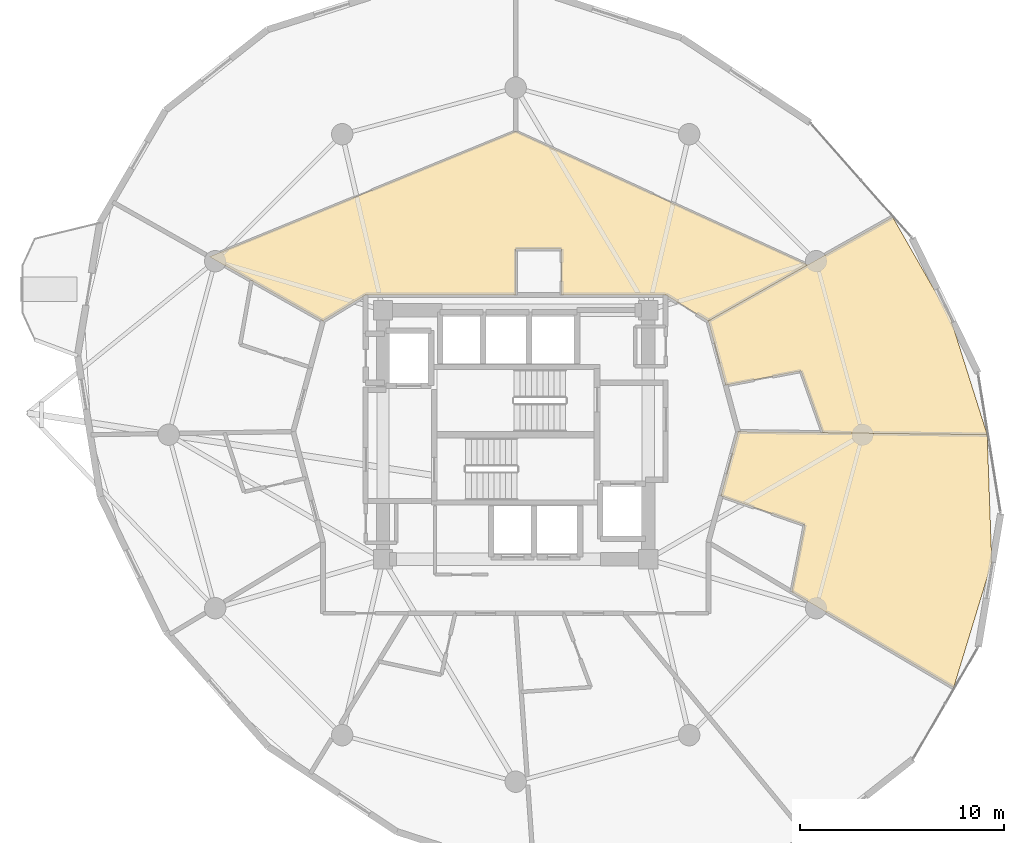
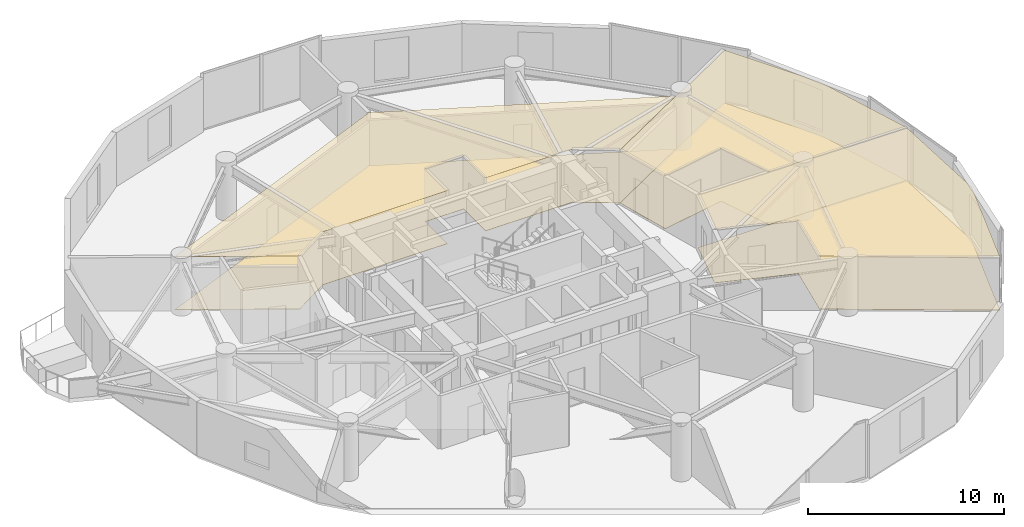
# One storey, part 20 of 20: 6 coverings.
"""IFC4 building model written with IfcOpenShell, lengths in metres."""

from ifc_helpers import new_model, si_unit, direction, frame, origin, place, context, subcontext, project, spatial, polyline, outline, extrude, material, layer, layer_set, type_object, element, save


model = new_model("IFC4")

# Units and contexts
model_context = context("Model", 3, precision=1e-05, world=origin(), true_north=direction((0.0, 1.0)))
body_context = subcontext(model_context, "Body", "Model", "MODEL_VIEW")
ifc_project = project(units=[si_unit("LENGTHUNIT", "METRE"), si_unit("AREAUNIT", "SQUARE_METRE"), si_unit("VOLUMEUNIT", "CUBIC_METRE"), si_unit("PLANEANGLEUNIT", "RADIAN"), si_unit("MASSUNIT", "GRAM", prefix="KILO")], contexts=[model_context])

# Site, building, storey
site_placement = place(None, origin())
site = spatial("IfcSite", under=ifc_project, at=site_placement, CompositionType="ELEMENT")
building_placement = place(site_placement, origin())
building = spatial("IfcBuilding", under=site, at=building_placement, Name="Solvirekh Grand Hotel", CompositionType="ELEMENT")
storey_placement = place(building_placement, frame((0.0, 0.0, 135.0)))
storey = spatial("IfcBuildingStorey", under=building, at=storey_placement, Name="L34", CompositionType="ELEMENT", Elevation=135.0)

# Coverings
ifc_material_1 = material(Name="Acoustic Mineral Ceiling Tile")
ifc_layer_1 = layer(ifc_material_1, 0.02490234375)
ifc_layer_set_1 = layer_set([ifc_layer_1], Name="Acoustic Mineral Ceiling Tile")
covering_type_1 = type_object("IfcCoveringType", Name="Cov_Ceiling_Acoustic", PredefinedType="CEILING", material=ifc_layer_set_1)
covering_1_placement = place(storey_placement, frame((0.0, 0.0, 3.300048828125)))
element("IfcCovering", 1, at=covering_1_placement, inside=storey, type_object=covering_type_1, Name="L34 Panorama Suite 3601 Inner Suite Lounge acoustic ceiling", PredefinedType="CEILING", context=body_context, shape_type="SweptSolid", body=[
    extrude(outline(polyline([(0.0, 6.85009765625), (0.0, 9.10009765625), (2.25, 9.10009765625), (2.25, 6.85009765625), (7.35009765625, 6.85009765625), (9.43994140625, 5.574951171875), (14.31591796875, 8.322998046875), (0.0, 14.866943359375), (-15.0009765625, 8.718017578125), (-9.43994140625, 5.574951171875), (-7.35009765625, 6.85009765625), (0.0, 6.85009765625)])), origin(), (0.0, 0.0, 1.0), 0.01806640625),
])
covering_2_placement = place(storey_placement, frame((0.0, 0.0, 3.300048828125)))
element("IfcCovering", 2, at=covering_2_placement, inside=storey, type_object=covering_type_1, Name="L34 Deluxe Guestroom 3604 acoustic ceiling", PredefinedType="CEILING", context=body_context, shape_type="SweptSolid", body=[
    extrude(outline(polyline([(14.166015625, -4.4208984375), (13.527099609375, -7.694091796875), (21.4599609375, -12.389892578125), (23.326904296875, -6.25), (23.10205078125, 0.0), (10.89990234375, 0.14990234375), (10.052978515625, -2.9970703125), (14.166015625, -4.4208984375)])), origin(), (0.0, 0.0, 1.0), 0.01806640625),
])
covering_3_placement = place(storey_placement, frame((0.0, 0.0, 3.300048828125)))
element("IfcCovering", 3, at=covering_3_placement, inside=storey, type_object=covering_type_1, Name="L34 Deluxe Guestroom 3605 acoustic ceiling", PredefinedType="CEILING", context=body_context, shape_type="SweptSolid", body=[
    extrude(outline(polyline([(13.98193359375, 3.125), (15.049072265625, 0.09912109375), (23.10205078125, 0.0), (21.302978515625, 5.7080078125), (18.468994140625, 10.6630859375), (9.43994140625, 5.574951171875), (10.287109375, 2.427978515625), (13.98193359375, 3.125)])), origin(), (0.0, 0.0, 1.0), 0.01806640625),
])
ifc_material_2 = material(Name="Porcelain Stoneware Flooring", Category="masonry")
ifc_layer_2 = layer(ifc_material_2, 0.030029296875)
ifc_layer_set_2 = layer_set([ifc_layer_2], Name="Porcelain Stoneware Flooring")
covering_type_2 = type_object("IfcCoveringType", Name="Cov_Floor_Stone", PredefinedType="FLOORING", material=ifc_layer_set_2)
covering_4_placement = place(storey_placement, origin())
element("IfcCovering", 4, at=covering_4_placement, inside=storey, type_object=covering_type_2, Name="L34 Panorama Suite 3601 Inner Suite Lounge polished granite flooring", PredefinedType="FLOORING", context=body_context, shape_type="SweptSolid", body=[
    extrude(outline(polyline([(0.0, 6.85009765625), (0.0, 9.10009765625), (2.25, 9.10009765625), (2.25, 6.85009765625), (7.35009765625, 6.85009765625), (9.43994140625, 5.574951171875), (14.31591796875, 8.322998046875), (0.0, 14.866943359375), (-15.0009765625, 8.718017578125), (-9.43994140625, 5.574951171875), (-7.35009765625, 6.85009765625), (0.0, 6.85009765625)])), origin(), (0.0, 0.0, 1.0), 0.02001953125),
])
covering_5_placement = place(storey_placement, origin())
element("IfcCovering", 5, at=covering_5_placement, inside=storey, type_object=covering_type_2, Name="L34 Deluxe Guestroom 3604 polished granite flooring", PredefinedType="FLOORING", context=body_context, shape_type="SweptSolid", body=[
    extrude(outline(polyline([(14.166015625, -4.4208984375), (13.527099609375, -7.694091796875), (21.4599609375, -12.389892578125), (23.326904296875, -6.25), (23.10205078125, 0.0), (10.89990234375, 0.14990234375), (10.052978515625, -2.9970703125), (14.166015625, -4.4208984375)])), origin(), (0.0, 0.0, 1.0), 0.02001953125),
])
covering_6_placement = place(storey_placement, origin())
element("IfcCovering", 6, at=covering_6_placement, inside=storey, type_object=covering_type_2, Name="L34 Deluxe Guestroom 3605 polished granite flooring", PredefinedType="FLOORING", context=body_context, shape_type="SweptSolid", body=[
    extrude(outline(polyline([(13.98193359375, 3.125), (15.049072265625, 0.09912109375), (23.10205078125, 0.0), (21.302978515625, 5.7080078125), (18.468994140625, 10.6630859375), (9.43994140625, 5.574951171875), (10.287109375, 2.427978515625), (13.98193359375, 3.125)])), origin(), (0.0, 0.0, 1.0), 0.02001953125),
])

save(model, "model.ifc")
